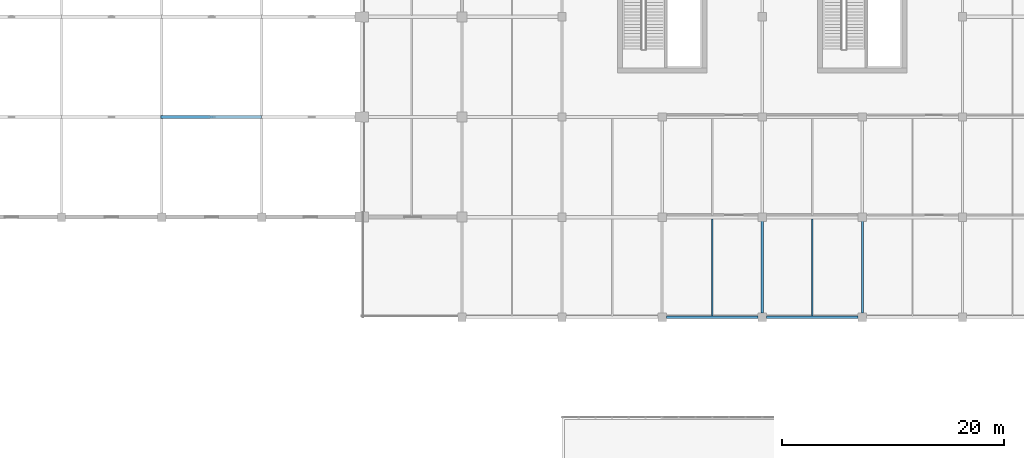
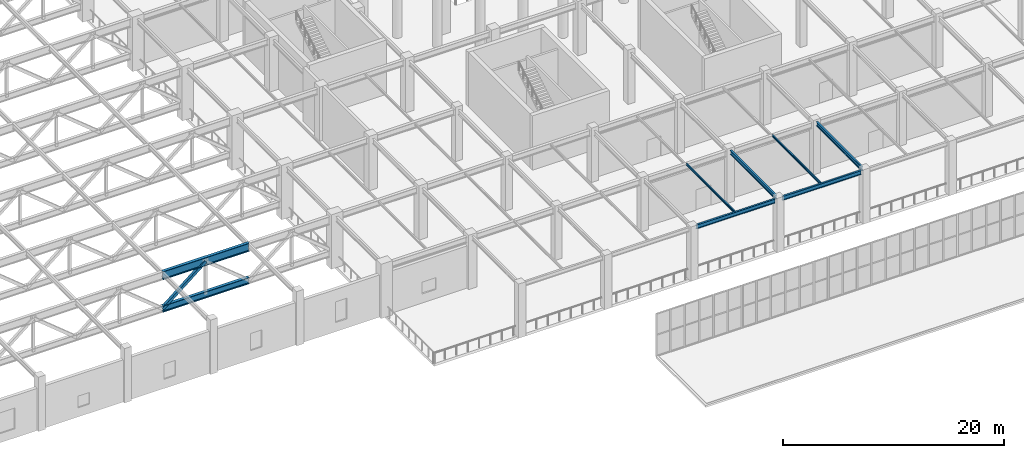
# One storey, part 12 of 223: 8 beams, 1 member.
"""IFC4 building model written with IfcOpenShell, lengths in metres."""

from ifc_helpers import new_model, si_unit, direction, frame, origin, origin_2d, place, context, subcontext, project, spatial, hollow_rectangle, i_section, extrude, material, material_profile, profile_set, type_object, element, save


model = new_model("IFC4")

# Units and contexts
model_context = context("Model", 3, precision=1e-05, world=origin(), true_north=direction((0.0, 1.0)))
body_context = subcontext(model_context, "Body", "Model", "MODEL_VIEW")
ifc_project = project(units=[si_unit("LENGTHUNIT", "METRE"), si_unit("AREAUNIT", "SQUARE_METRE"), si_unit("VOLUMEUNIT", "CUBIC_METRE"), si_unit("PLANEANGLEUNIT", "RADIAN"), si_unit("MASSUNIT", "GRAM", prefix="KILO")], contexts=[model_context])

# Site, building, storey
site_placement = place(None, origin())
site = spatial("IfcSite", under=ifc_project, at=site_placement, CompositionType="ELEMENT")
building_placement = place(site_placement, origin())
building = spatial("IfcBuilding", under=site, at=building_placement, Name="Dornveld Trade and Exhibition Forum", CompositionType="ELEMENT")
storey_placement = place(building_placement, frame((0.0, 0.0, 6.0)))
storey = spatial("IfcBuildingStorey", under=building, at=storey_placement, Name="L01", CompositionType="ELEMENT", Elevation=6.0)

# Beams
ifc_material_1 = material(Name="Steel S355J2", Category="steel")
ifc_material_profile_1 = material_profile(ifc_material_1, i_section(OverallWidth=0.1201171875, OverallDepth=0.239990234375, WebThickness=0.006103515625, FlangeThickness=0.009765625, FilletRadius=0.014892578125, at=origin_2d()), Name="IPE 240")
ifc_profile_set_1 = profile_set([ifc_material_profile_1], Name="Steel S355J2")
beam_type_1 = type_object("IfcBeamType", Name="BM-JOIST-240", PredefinedType="JOIST", material=ifc_profile_set_1)
for number, where, z_axis, x_axis, name in (
    (1, (112.5, 27.092041015625, 5.659912109375), (0.0, 1.0, 0.0), (-1.0, 0.0, 0.0), "L01 secondary joist 1731"),
    (2, (121.5, 27.092041015625, 5.659912109375), (0.0, 1.0, 0.0), (-1.0, 0.0, 0.0), "L01 secondary joist 1732"),
):
    element("IfcBeam", number, at=place(storey_placement, frame(where, z_axis=z_axis, x_axis=x_axis)), inside=storey, type_object=beam_type_1, Name=name, PredefinedType="JOIST", context=body_context, shape_type="SweptSolid", body=[
        extrude(i_section(OverallWidth=0.1201171875, OverallDepth=0.239990234375, WebThickness=0.006103515625, FlangeThickness=0.009765625, FilletRadius=0.014892578125, at=origin_2d()), origin(), (0.0, 0.0, 1.0), 8.760986328125),
    ])
ifc_material_2 = material(Name="Steel S355J2", Category="steel")
ifc_material_profile_2 = material_profile(ifc_material_2, i_section(OverallWidth=0.18994140625, OverallDepth=0.449951171875, WebThickness=0.009521484375, FlangeThickness=0.0146484375, FilletRadius=0.02099609375, at=origin_2d()), Name="IPE 450")
ifc_profile_set_2 = profile_set([ifc_material_profile_2], Name="Steel S355J2")
beam_type_2 = type_object("IfcBeamType", Name="BM-SEC-450", PredefinedType="BEAM", material=ifc_profile_set_2)
for number, where, z_axis, x_axis, name in (
    (3, (108.37109375, 27.0, 5.554931640625), (1.0, 0.0, 0.0), (0.0, 1.0, 0.0), "L01 X-girder 1709"),
    (4, (117.37109375, 27.0, 5.554931640625), (1.0, 0.0, 0.0), (0.0, 1.0, 0.0), "L01 X-girder 1710"),
    (5, (117.0, 27.37109375, 5.554931640625), (0.0, 1.0, 0.0), (-1.0, 0.0, 0.0), "L01 Y-girder 1724"),
    (6, (126.0, 27.37109375, 5.554931640625), (0.0, 1.0, 0.0), (-1.0, 0.0, 0.0), "L01 Y-girder 1725"),
):
    element("IfcBeam", number, at=place(storey_placement, frame(where, z_axis=z_axis, x_axis=x_axis)), inside=storey, type_object=beam_type_2, Name=name, PredefinedType="BEAM", context=body_context, shape_type="SweptSolid", body=[
        extrude(i_section(OverallWidth=0.18994140625, OverallDepth=0.449951171875, WebThickness=0.009521484375, FlangeThickness=0.0146484375, FilletRadius=0.02099609375, at=origin_2d()), origin(), (0.0, 0.0, 1.0), 8.2578125),
    ])
ifc_material_3 = material(Name="Steel S355J2", Category="steel")
ifc_material_profile_3 = material_profile(ifc_material_3, i_section(OverallWidth=0.303955078125, OverallDepth=0.716064453125, WebThickness=0.02099609375, FlangeThickness=0.0400390625, FilletRadius=0.027099609375, at=origin_2d()), Name="HEM 700")
ifc_profile_set_3 = profile_set([ifc_material_profile_3], Name="Steel S355J2")
beam_type_3 = type_object("IfcBeamType", Name="BM-TG-BOT700", PredefinedType="USERDEFINED", material=ifc_profile_set_3)
beam_1_placement = place(storey_placement, frame((63.0, 45.0, 1.5), z_axis=(1.0, 0.0, 0.0), x_axis=(0.0, 1.0, 0.0)))
element("IfcBeam", 7, at=beam_1_placement, inside=storey, type_object=beam_type_3, Name="Hall 3 transfer truss 1 bottom chord 5", ObjectType="GIRDER", PredefinedType="USERDEFINED", context=body_context, shape_type="SweptSolid", body=[
    extrude(i_section(OverallWidth=0.303955078125, OverallDepth=0.716064453125, WebThickness=0.02099609375, FlangeThickness=0.0400390625, FilletRadius=0.027099609375, at=origin_2d()), origin(), (0.0, 0.0, 1.0), 9.0),
])
ifc_material_4 = material(Name="Steel S355J2", Category="steel")
ifc_material_profile_4 = material_profile(ifc_material_4, i_section(OverallWidth=0.302001953125, OverallDepth=0.909912109375, WebThickness=0.02099609375, FlangeThickness=0.0400390625, FilletRadius=0.030029296875, at=origin_2d()), Name="HEM 900")
ifc_profile_set_4 = profile_set([ifc_material_profile_4], Name="Steel S355J2")
beam_type_4 = type_object("IfcBeamType", Name="BM-TG-TOP900", PredefinedType="USERDEFINED", material=ifc_profile_set_4)
beam_2_placement = place(storey_placement, frame((63.0, 45.0, 5.18505859375), z_axis=(1.0, 0.0, 0.0), x_axis=(0.0, 1.0, 0.0)))
element("IfcBeam", 8, at=beam_2_placement, inside=storey, type_object=beam_type_4, Name="Hall 3 transfer truss 1 top chord 5", ObjectType="GIRDER", PredefinedType="USERDEFINED", context=body_context, shape_type="SweptSolid", body=[
    extrude(i_section(OverallWidth=0.302001953125, OverallDepth=0.909912109375, WebThickness=0.02099609375, FlangeThickness=0.0400390625, FilletRadius=0.030029296875, at=origin_2d()), origin(), (0.0, 0.0, 1.0), 9.0),
])

# Member
ifc_material_5 = material(Name="Steel S355J2", Category="steel")
ifc_material_profile_5 = material_profile(ifc_material_5, hollow_rectangle(XDim=0.300048828125, YDim=0.300048828125, WallThickness=0.01611328125, at=origin_2d()), Name="SHS 300x300x16")
ifc_profile_set_5 = profile_set([ifc_material_profile_5], Name="Steel S355J2")
member_type = type_object("IfcMemberType", Name="MEM-XFER-WEB", PredefinedType="BRACE", material=ifc_profile_set_5)
member_placement = place(storey_placement, frame((63.0, 45.0, 1.5), z_axis=(0.773684181611, 0.0, 0.633571453843), x_axis=(0.0, 1.0, 0.0)))
element("IfcMember", 9, at=member_placement, inside=storey, type_object=member_type, Name="Transfer truss 1 web 13", PredefinedType="BRACE", context=body_context, shape_type="SweptSolid", body=[
    extrude(hollow_rectangle(XDim=0.300048828125, YDim=0.300048828125, WallThickness=0.01611328125, at=origin_2d()), origin(), (0.0, 0.0, 1.0), 5.81640625),
])

save(model, "model.ifc")
